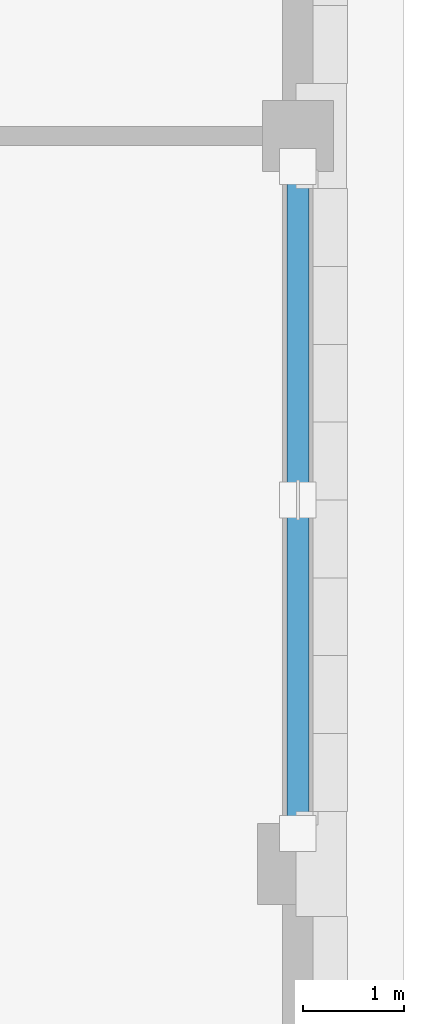
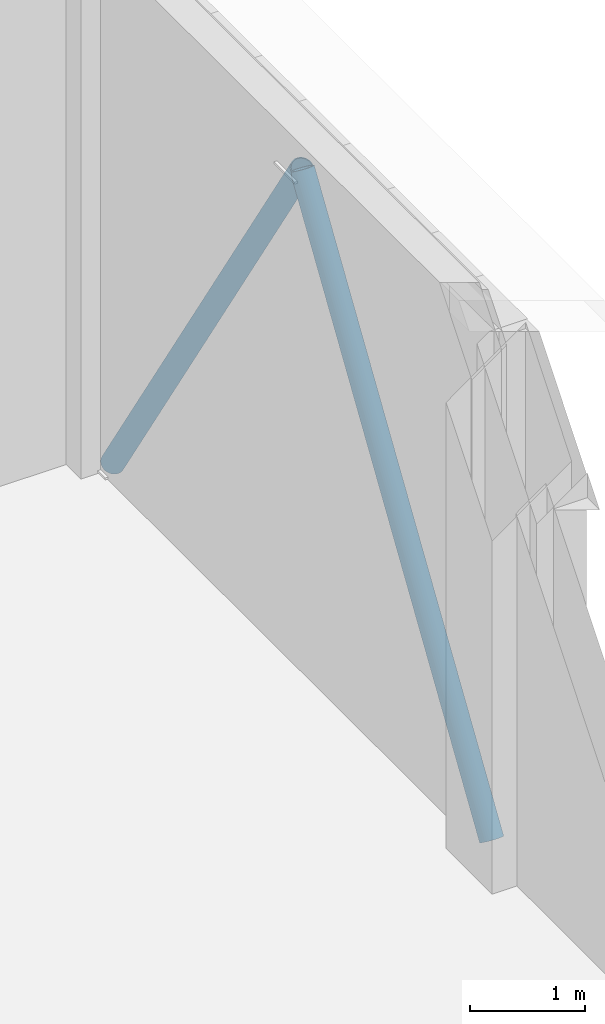
# One storey, part 33 of 85: 2 members.
"""IFC4 building model written with IfcOpenShell, lengths in metres."""

from ifc_helpers import new_model, si_unit, direction, frame, origin, origin_2d, place, context, subcontext, project, spatial, hollow_circle, extrude, material, material_profile, profile_set, type_object, element, save


model = new_model("IFC4")

# Units and contexts
model_context = context("Model", 3, precision=1e-05, world=origin(), true_north=direction((0.0, 1.0)))
body_context = subcontext(model_context, "Body", "Model", "MODEL_VIEW")
ifc_project = project(units=[si_unit("LENGTHUNIT", "METRE"), si_unit("AREAUNIT", "SQUARE_METRE"), si_unit("VOLUMEUNIT", "CUBIC_METRE"), si_unit("PLANEANGLEUNIT", "RADIAN"), si_unit("MASSUNIT", "GRAM", prefix="KILO")], contexts=[model_context])

# Site, building, storey
site_placement = place(None, origin())
site = spatial("IfcSite", under=ifc_project, at=site_placement, CompositionType="ELEMENT")
building_placement = place(site_placement, origin())
building = spatial("IfcBuilding", under=site, at=building_placement, Name="Sardonyx Promenade Sports Hall", CompositionType="ELEMENT")
storey_placement = place(building_placement, origin())
storey = spatial("IfcBuildingStorey", under=building, at=storey_placement, Name="L00", CompositionType="ELEMENT", Elevation=0.0)

# Members
ifc_material = material(Name="Steel S355JR", Category="steel")
ifc_material_profile = material_profile(ifc_material, hollow_circle(Radius=0.109619140625, WallThickness=0.010009765625, at=origin_2d()))
ifc_profile_set = profile_set([ifc_material_profile], Name="Steel S355JR")
member_type = type_object("IfcMemberType", Name="Mbr_Brace_CHS219_Ext", PredefinedType="BRACE", material=ifc_profile_set)
for number, where, z_axis, x_axis, name in (
    (1, (165.60009765625, 72.300048828125, 0.02001953125), (0.0, 0.541020546305, 0.841009374785), (-1.0, 0.0, 0.0), "Chevron brace BR02 BF4 L00 leg 1"),
    (2, (165.60009765625, 78.89990234375, 0.02001953125), (0.0, -0.540992235695, 0.8410275863), (1.0, 0.0, 0.0), "Chevron brace BR02 BF4 L00 leg 2"),
):
    element("IfcMember", number, at=place(storey_placement, frame(where, z_axis=z_axis, x_axis=x_axis)), inside=storey, type_object=member_type, Name=name, PredefinedType="BRACE", context=body_context, shape_type="SweptSolid", body=[
        extrude(hollow_circle(Radius=0.109619140625, WallThickness=0.010009765625, at=origin_2d()), origin(), (0.0, 0.0, 1.0), 6.099609375),
    ])

save(model, "model.ifc")
